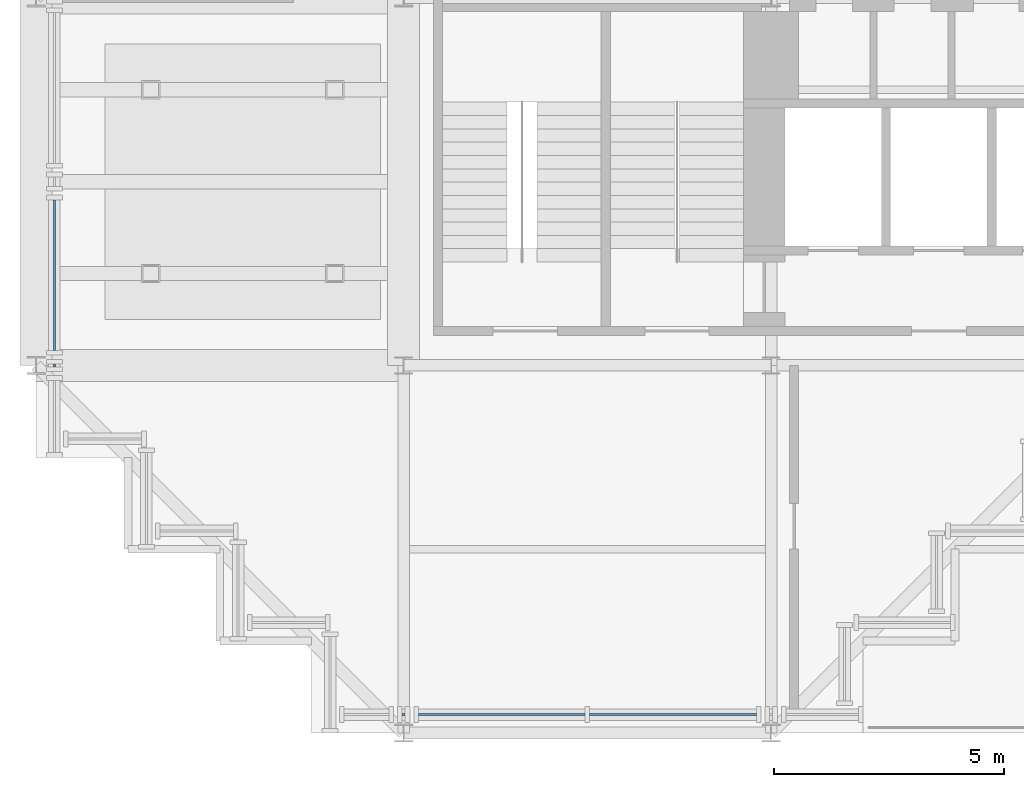
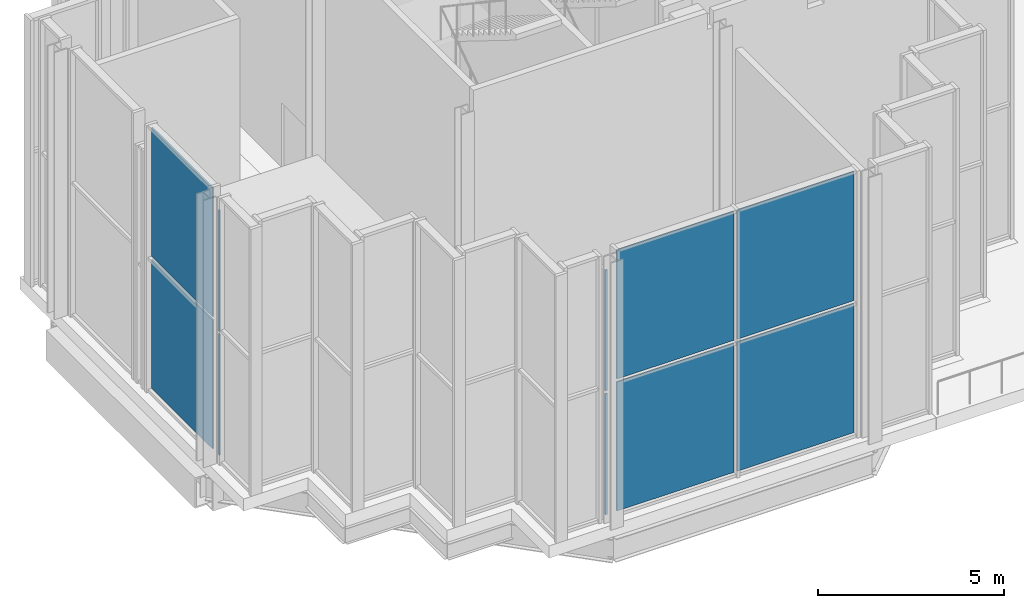
# One storey, part 6 of 15: 10 plates, 4 elements without a shape of their own.
"""IFC4 building model written with IfcOpenShell, lengths in metres."""

from ifc_helpers import new_model, si_unit, direction, frame, origin, origin_2d, place, context, subcontext, project, spatial, rectangle, extrude, material, layer, layer_set, type_object, element, aggregate, save


model = new_model("IFC4")

# Units and contexts
model_context = context("Model", 3, precision=1e-05, world=origin(), true_north=direction((0.0, 1.0)))
body_context = subcontext(model_context, "Body", "Model", "MODEL_VIEW")
ifc_project = project(units=[si_unit("LENGTHUNIT", "METRE"), si_unit("AREAUNIT", "SQUARE_METRE"), si_unit("VOLUMEUNIT", "CUBIC_METRE"), si_unit("PLANEANGLEUNIT", "RADIAN"), si_unit("MASSUNIT", "GRAM", prefix="KILO")], contexts=[model_context])

# Site, building, storey
site_placement = place(None, origin())
site = spatial("IfcSite", under=ifc_project, at=site_placement, CompositionType="ELEMENT")
building_placement = place(site_placement, origin())
building = spatial("IfcBuilding", under=site, at=building_placement, Name="Immortelle Media Tower", CompositionType="ELEMENT")
storey_placement = place(building_placement, frame((0.0, 0.0, 299.0)))
storey = spatial("IfcBuildingStorey", under=building, at=storey_placement, Name="L66", CompositionType="ELEMENT", Elevation=299.0)

# Curtain wall, plates
ifc_material_1 = material(Name="Aluminium curtain wall system", Category="aluminium")
curtain_wall_type = type_object("IfcCurtainWallType", Name="Damper hall glazing curtain wall", PredefinedType="NOTDEFINED", material=ifc_material_1)
curtain_wall_1_placement = place(storey_placement, origin())
curtain_wall_1 = element("IfcCurtainWall", 1, at=curtain_wall_1_placement, inside=storey, type_object=curtain_wall_type, Name="Damper hall glazing L66 W 21-5", PredefinedType="NOTDEFINED")
ifc_material_2 = material(Name="Warm-lit low-E double glazing", Category="glass")
ifc_layer = layer(ifc_material_2, 0.0439453125)
ifc_layer_set = layer_set([ifc_layer], Name="Warm-lit low-E double glazing")
plate_type = type_object("IfcPlateType", Name="Laminated solar control glazed panel 44 mm", PredefinedType="CURTAIN_PANEL", material=ifc_layer_set)
plate_1_placement = place(storey_placement, frame((0.39990234375, 9.96435546875, 0.10009765625), z_axis=(0.0, 0.0, 1.0), x_axis=(0.0, -1.0, 0.0)))
plate_1 = element("IfcPlate", 2, at=plate_1_placement, type_object=plate_type, Name="CW5 panel 1.1", PredefinedType="CURTAIN_PANEL", context=body_context, shape_type="SweptSolid", body=[
    extrude(rectangle(XDim=3.281494140625, YDim=0.0439453125, at=origin_2d()), origin(), (0.0, 0.0, 1.0), 4.224853515625),
])
plate_2_placement = place(storey_placement, frame((0.39990234375, 9.96435546875, 4.4248046875), z_axis=(0.0, 0.0, 1.0), x_axis=(0.0, -1.0, 0.0)))
plate_2 = element("IfcPlate", 3, at=plate_2_placement, type_object=plate_type, Name="CW5 panel 1.2", PredefinedType="CURTAIN_PANEL", context=body_context, shape_type="SweptSolid", body=[
    extrude(rectangle(XDim=3.281494140625, YDim=0.0439453125, at=origin_2d()), origin(), (0.0, 0.0, 1.0), 4.224853515625),
])
aggregate(curtain_wall_1, [plate_1, plate_2])

curtain_wall_2_placement = place(storey_placement, origin())
curtain_wall_2 = element("IfcCurtainWall", 4, at=curtain_wall_2_placement, inside=storey, type_object=curtain_wall_type, Name="Damper hall glazing L66 W 21-6", PredefinedType="NOTDEFINED")
plate_3_placement = place(storey_placement, frame((0.39990234375, 8.0, 0.10009765625), z_axis=(0.0, 0.0, 1.0), x_axis=(0.0, -1.0, 0.0)))
plate_3 = element("IfcPlate", 5, at=plate_3_placement, type_object=plate_type, Name="CW5 panel 1.1", PredefinedType="CURTAIN_PANEL", context=body_context, shape_type="SweptSolid", body=[
    extrude(rectangle(XDim=0.06689453125, YDim=0.0439453125, at=origin_2d()), origin(), (0.0, 0.0, 1.0), 3.956787109375),
])
plate_4_placement = place(storey_placement, frame((0.39990234375, 8.0, 4.15673828125), z_axis=(0.0, 0.0, 1.0), x_axis=(0.0, -1.0, 0.0)))
plate_4 = element("IfcPlate", 6, at=plate_4_placement, type_object=plate_type, Name="CW5 panel 1.2", PredefinedType="CURTAIN_PANEL", context=body_context, shape_type="SweptSolid", body=[
    extrude(rectangle(XDim=0.06689453125, YDim=0.0439453125, at=origin_2d()), origin(), (0.0, 0.0, 1.0), 3.956787109375),
])
aggregate(curtain_wall_2, [plate_3, plate_4])

curtain_wall_3_placement = place(storey_placement, origin())
curtain_wall_3 = element("IfcCurtainWall", 7, at=curtain_wall_3_placement, inside=storey, type_object=curtain_wall_type, Name="Damper hall glazing L66 S 28-2", PredefinedType="NOTDEFINED")
plate_5_placement = place(storey_placement, frame((8.0, 0.39990234375, 0.10009765625), z_axis=(0.0, 0.0, 1.0), x_axis=(1.0, 0.0, 0.0)))
plate_5 = element("IfcPlate", 8, at=plate_5_placement, type_object=plate_type, Name="CW5 panel 1.1", PredefinedType="CURTAIN_PANEL", context=body_context, shape_type="SweptSolid", body=[
    extrude(rectangle(XDim=0.06689453125, YDim=0.0439453125, at=origin_2d()), origin(), (0.0, 0.0, 1.0), 3.956787109375),
])
plate_6_placement = place(storey_placement, frame((8.0, 0.39990234375, 4.15673828125), z_axis=(0.0, 0.0, 1.0), x_axis=(1.0, 0.0, 0.0)))
plate_6 = element("IfcPlate", 9, at=plate_6_placement, type_object=plate_type, Name="CW5 panel 1.2", PredefinedType="CURTAIN_PANEL", context=body_context, shape_type="SweptSolid", body=[
    extrude(rectangle(XDim=0.06689453125, YDim=0.0439453125, at=origin_2d()), origin(), (0.0, 0.0, 1.0), 3.956787109375),
])
aggregate(curtain_wall_3, [plate_5, plate_6])

curtain_wall_4_placement = place(storey_placement, origin())
curtain_wall_4 = element("IfcCurtainWall", 10, at=curtain_wall_4_placement, inside=storey, type_object=curtain_wall_type, Name="Damper hall glazing L66 S 28-3", PredefinedType="NOTDEFINED")
plate_7_placement = place(storey_placement, frame((10.13671875, 0.39990234375, 0.10009765625), z_axis=(0.0, 0.0, 1.0), x_axis=(1.0, 0.0, 0.0)))
plate_7 = element("IfcPlate", 11, at=plate_7_placement, type_object=plate_type, Name="CW5 panel 1.1", PredefinedType="CURTAIN_PANEL", context=body_context, shape_type="SweptSolid", body=[
    extrude(rectangle(XDim=3.62646484375, YDim=0.0439453125, at=origin_2d()), origin(), (0.0, 0.0, 1.0), 4.224853515625),
])
plate_8_placement = place(storey_placement, frame((10.13671875, 0.39990234375, 4.4248046875), z_axis=(0.0, 0.0, 1.0), x_axis=(1.0, 0.0, 0.0)))
plate_8 = element("IfcPlate", 12, at=plate_8_placement, type_object=plate_type, Name="CW5 panel 1.2", PredefinedType="CURTAIN_PANEL", context=body_context, shape_type="SweptSolid", body=[
    extrude(rectangle(XDim=3.62646484375, YDim=0.0439453125, at=origin_2d()), origin(), (0.0, 0.0, 1.0), 4.224853515625),
])
plate_9_placement = place(storey_placement, frame((13.86328125, 0.39990234375, 0.10009765625), z_axis=(0.0, 0.0, 1.0), x_axis=(1.0, 0.0, 0.0)))
plate_9 = element("IfcPlate", 13, at=plate_9_placement, type_object=plate_type, Name="CW5 panel 2.1", PredefinedType="CURTAIN_PANEL", context=body_context, shape_type="SweptSolid", body=[
    extrude(rectangle(XDim=3.62646484375, YDim=0.0439453125, at=origin_2d()), origin(), (0.0, 0.0, 1.0), 4.224853515625),
])
plate_10_placement = place(storey_placement, frame((13.86328125, 0.39990234375, 4.4248046875), z_axis=(0.0, 0.0, 1.0), x_axis=(1.0, 0.0, 0.0)))
plate_10 = element("IfcPlate", 14, at=plate_10_placement, type_object=plate_type, Name="CW5 panel 2.2", PredefinedType="CURTAIN_PANEL", context=body_context, shape_type="SweptSolid", body=[
    extrude(rectangle(XDim=3.62646484375, YDim=0.0439453125, at=origin_2d()), origin(), (0.0, 0.0, 1.0), 4.224853515625),
])
aggregate(curtain_wall_4, [plate_7, plate_8, plate_9, plate_10])

save(model, "model.ifc")
